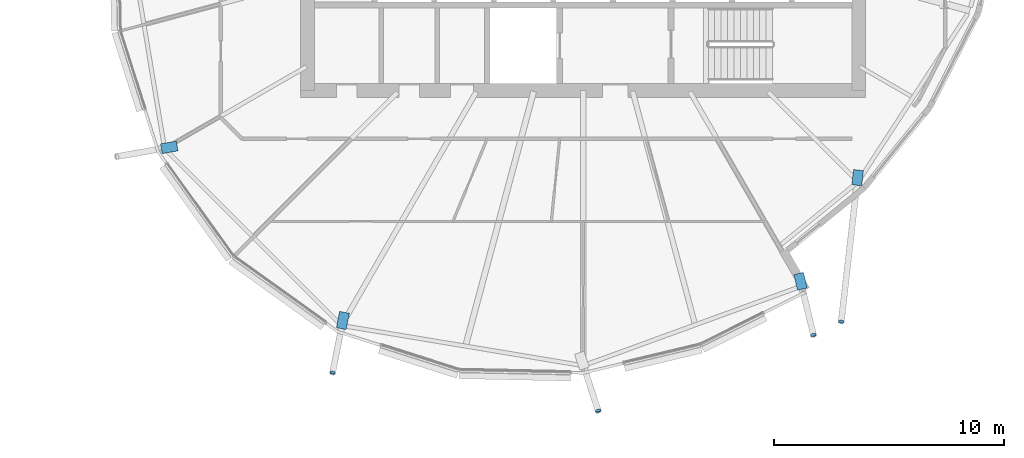
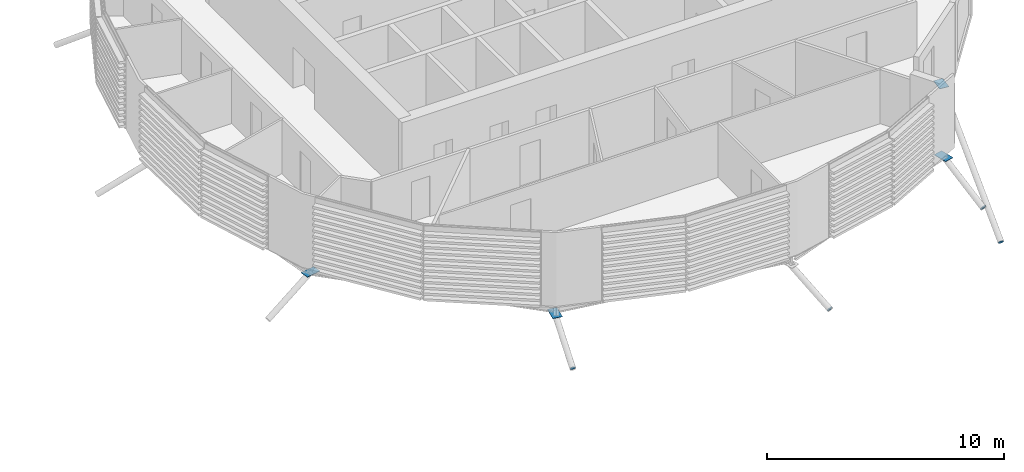
# One storey, part 28 of 35: 8 discrete accessories.
"""IFC4 building model written with IfcOpenShell, lengths in metres."""

from ifc_helpers import new_model, si_unit, direction, frame, origin, origin_2d, place, context, subcontext, project, spatial, polyline, rectangle, circle, outline, extrude, material, material_profile, profile_set, type_object, element, save


model = new_model("IFC4")

# Units and contexts
model_context = context("Model", 3, precision=1e-05, world=origin(), true_north=direction((0.0, 1.0)))
body_context = subcontext(model_context, "Body", "Model", "MODEL_VIEW")
ifc_project = project(units=[si_unit("LENGTHUNIT", "METRE"), si_unit("AREAUNIT", "SQUARE_METRE"), si_unit("VOLUMEUNIT", "CUBIC_METRE"), si_unit("PLANEANGLEUNIT", "RADIAN"), si_unit("MASSUNIT", "GRAM", prefix="KILO")], contexts=[model_context])

# Site, building, storey
site_placement = place(None, origin())
site = spatial("IfcSite", under=ifc_project, at=site_placement, CompositionType="ELEMENT")
building_placement = place(site_placement, origin())
building = spatial("IfcBuilding", under=site, at=building_placement, Name="Rimbun Link Towers", CompositionType="ELEMENT")
storey_placement = place(building_placement, frame((0.0, 0.0, 196.89990234375)))
storey = spatial("IfcBuildingStorey", under=building, at=storey_placement, Name="L48", CompositionType="ELEMENT", Elevation=196.89990234375)

# Discrete accessories
ifc_material_1 = material(Name="Steel S355J2H", Category="steel")
ifc_material_profile_1 = material_profile(ifc_material_1, circle(Radius=0.1240234375, at=origin_2d()), Name="PL D248")
ifc_profile_set_1 = profile_set([ifc_material_profile_1], Name="Steel S355J2H")
discrete_accessory_type_1 = type_object("IfcDiscreteAccessoryType", Name="Link foot sealing plate D248X20", PredefinedType="BRACKET", material=ifc_profile_set_1)
for number, where, z_axis, x_axis, name in (
    (1, (20.83935546875, -20.27197265625, -2.05029296875), (-0.172106577508, -0.860532887539, -0.479439751629), (0.980580675691, -0.196116135138, 0.0), "Link foot sealing plate T2 L48 13"),
    (2, (32.4013671875, -21.934814453125, -2.046875), (0.258766726311, -0.837911304245, -0.480566777434), (0.955474691182, 0.295073066394, 0.0), "Link foot sealing plate T2 L48 15"),
):
    element("IfcDiscreteAccessory", number, at=place(storey_placement, frame(where, z_axis=z_axis, x_axis=x_axis)), inside=storey, type_object=discrete_accessory_type_1, Name=name, PredefinedType="BRACKET", context=body_context, shape_type="SweptSolid", body=[
        extrude(circle(Radius=0.1240234375, at=origin_2d()), origin(), (0.0, 0.0, 1.0), 0.019775390625),
    ])
for number, where, z_axis, x_axis, name in (
    (3, (41.778076171875, -18.633544921875, -2.109130859375), (0.207209243947, -0.841025754843, -0.499739941283), (0.970964611728, 0.239223165208, 0.0), "Link foot sealing plate T2 L48 17"),
    (4, (42.9892578125, -18.058837890625, -4.65234375), (-0.097293655072, -0.839157774996, -0.535115102896), (0.993345736033, -0.11517052012, 0.0), "Link foot sealing plate T2 L48 18"),
):
    element("IfcDiscreteAccessory", number, at=place(storey_placement, frame(where, z_axis=z_axis, x_axis=x_axis)), inside=storey, type_object=discrete_accessory_type_1, Name=name, PredefinedType="BRACKET", context=body_context, shape_type="SweptSolid", body=[
        extrude(circle(Radius=0.1240234375, at=origin_2d()), origin(), (0.0, 0.0, 1.0), 0.02001953125),
    ])
ifc_material_2 = material(Name="Steel S355J2H", Category="steel")
ifc_material_profile_2 = material_profile(ifc_material_2, rectangle(XDim=0.43310546875, YDim=0.43310546875, at=origin_2d()), Name="PL 433x433")
ifc_profile_set_2 = profile_set([ifc_material_profile_2], Name="Steel S355J2H")
discrete_accessory_type_2 = type_object("IfcDiscreteAccessoryType", Name="Link head end plate 433X20", PredefinedType="BRACKET", material=ifc_profile_set_2)
discrete_accessory_1_placement = place(storey_placement, frame((0.0, 0.0, -0.576416015625)))
element("IfcDiscreteAccessory", 5, at=discrete_accessory_1_placement, inside=storey, type_object=discrete_accessory_type_2, Name="Link head end plate T2 L48 11", PredefinedType="BRACKET", context=body_context, shape_type="SweptSolid", body=[
    extrude(outline(polyline([(14.032470703125, -10.19677734375), (13.347412109375, -10.31689453125), (13.42236328125, -10.743408203125), (14.107421875, -10.623046875), (14.032470703125, -10.19677734375)])), origin(), (0.0, 0.0, 1.0), 0.02001953125),
])
discrete_accessory_2_placement = place(storey_placement, frame((0.0, 0.0, -0.7724609375)))
element("IfcDiscreteAccessory", 6, at=discrete_accessory_2_placement, inside=storey, type_object=discrete_accessory_type_2, Name="Link head end plate T2 L48 13", PredefinedType="BRACKET", context=body_context, shape_type="SweptSolid", body=[
    extrude(outline(polyline([(21.143798828125, -17.611572265625), (21.003662109375, -18.3212890625), (21.4287109375, -18.4052734375), (21.568603515625, -17.6953125), (21.143798828125, -17.611572265625)])), origin(), (0.0, 0.0, 1.0), 0.02001953125),
])
discrete_accessory_3_placement = place(storey_placement, frame((0.0, 0.0, -0.702880859375)))
element("IfcDiscreteAccessory", 7, at=discrete_accessory_3_placement, inside=storey, type_object=discrete_accessory_type_2, Name="Link head end plate T2 L48 17", PredefinedType="BRACKET", context=body_context, shape_type="SweptSolid", body=[
    extrude(outline(polyline([(40.923583984375, -16.012451171875), (41.087646484375, -16.692626953125), (41.508544921875, -16.59130859375), (41.3447265625, -15.910888671875), (40.923583984375, -16.012451171875)])), origin(), (0.0, 0.0, 1.0), 0.019775390625),
])
discrete_accessory_4_placement = place(storey_placement, frame((0.0, 0.0, -0.576416015625)))
element("IfcDiscreteAccessory", 8, at=discrete_accessory_4_placement, inside=storey, type_object=discrete_accessory_type_2, Name="Link head end plate T2 L48 18", PredefinedType="BRACKET", context=body_context, shape_type="SweptSolid", body=[
    extrude(outline(polyline([(43.525390625, -11.43505859375), (43.450439453125, -12.093994140625), (43.880615234375, -12.142822265625), (43.95556640625, -11.48388671875), (43.525390625, -11.43505859375)])), origin(), (0.0, 0.0, 1.0), 0.02001953125),
])

save(model, "model.ifc")
